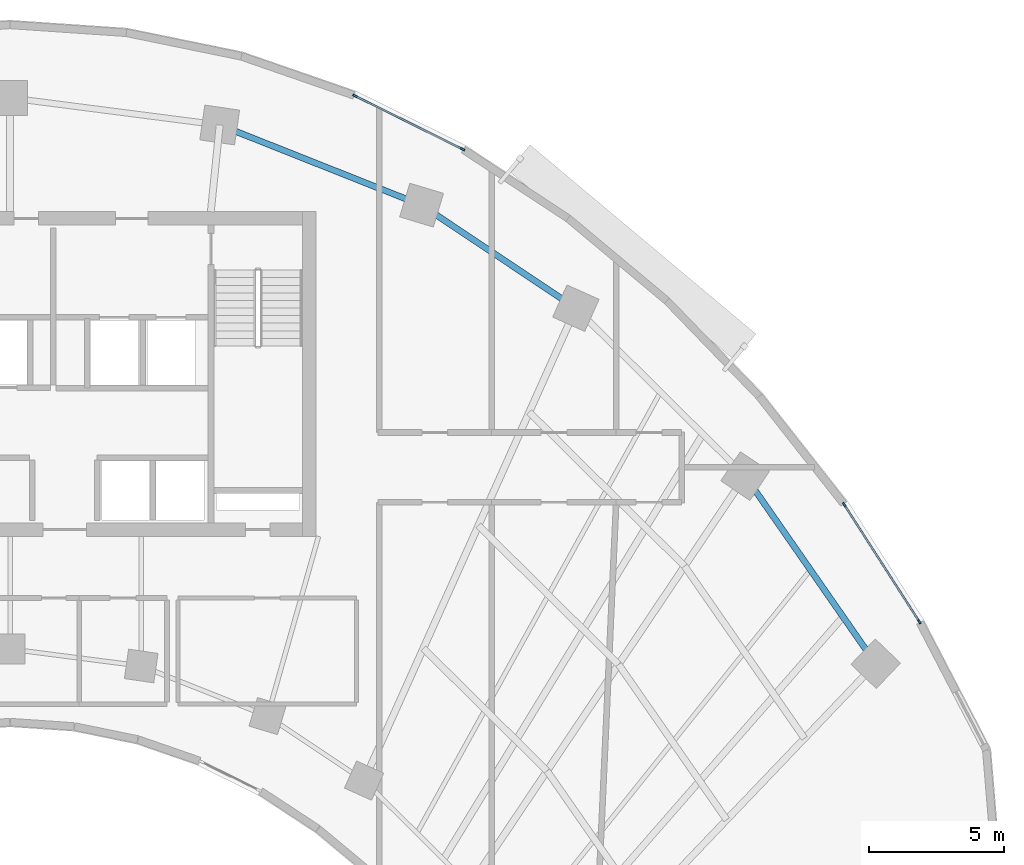
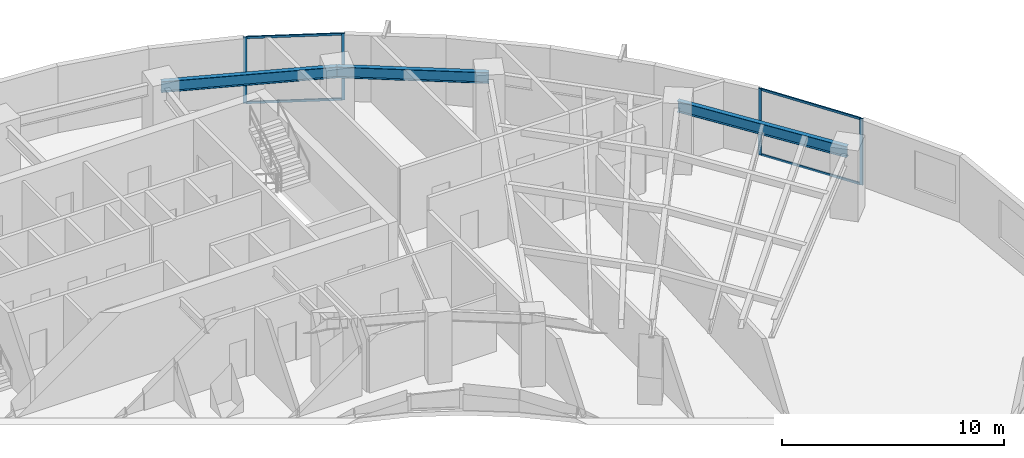
# One storey, part 6 of 14: 8 members, 3 beams, 2 elements without a shape of their own.
"""IFC4 building model written with IfcOpenShell, lengths in metres."""

from ifc_helpers import new_model, si_unit, direction, frame, origin, origin_2d, place, context, subcontext, project, spatial, rectangle, i_section, extrude, source, transform, mapped, material, layer, layer_set, material_profile, profile_set, type_object, element, aggregate, save


model = new_model("IFC4")

# Units and contexts
model_context = context("Model", 3, precision=1e-05, world=origin(), true_north=direction((0.0, 1.0)))
body_context = subcontext(model_context, "Body", "Model", "MODEL_VIEW")
ifc_project = project(units=[si_unit("LENGTHUNIT", "METRE"), si_unit("AREAUNIT", "SQUARE_METRE"), si_unit("VOLUMEUNIT", "CUBIC_METRE"), si_unit("PLANEANGLEUNIT", "RADIAN"), si_unit("MASSUNIT", "GRAM", prefix="KILO")], contexts=[model_context])

# Site, building, storey
site_placement = place(None, origin())
site = spatial("IfcSite", under=ifc_project, at=site_placement, CompositionType="ELEMENT")
building_placement = place(site_placement, origin())
building = spatial("IfcBuilding", under=site, at=building_placement, Name="Breltana Convention Tower", CompositionType="ELEMENT")
storey_placement = place(building_placement, frame((0.0, 0.0, 138.89990234375)))
storey = spatial("IfcBuildingStorey", under=building, at=storey_placement, Name="L33", CompositionType="ELEMENT", Elevation=138.89990234375)

# Beams
ifc_material_1 = material(Name="Steel ASTM A992 Grade 50", Category="steel")
ifc_material_profile_1 = material_profile(ifc_material_1, i_section(OverallWidth=0.22802734375, OverallDepth=0.60791015625, WebThickness=0.01123046875, FlangeThickness=0.017333984375, at=origin_2d()), Name="W24X76")
ifc_profile_set_1 = profile_set([ifc_material_profile_1], Name="Steel ASTM A992 Grade 50")
beam_type = type_object("IfcBeamType", Name="BM-SP-W24X76", PredefinedType="SPANDREL", material=ifc_profile_set_1)
shared_shape_1 = source(origin(), body_context, "Body", "SweptSolid", [
    extrude(i_section(OverallWidth=0.22802734375, OverallDepth=0.60791015625, WebThickness=0.01123046875, FlangeThickness=0.017333984375, at=origin_2d()), origin(), (0.0, 0.0, 1.0), 8.028564453125),
])
beam_1_placement = place(storey_placement, frame((55.746826171875, 75.404296875, 3.34619140625), z_axis=(0.929459100394, -0.368925169507, 0.0), x_axis=(0.368925169507, 0.929459100394, 0.0)))
element("IfcBeam", 1, at=beam_1_placement, inside=storey, type_object=beam_type, Name="L33 Outer Spandrel Beam 07", PredefinedType="SPANDREL", context=body_context, shape_type="MappedRepresentation", body=[
    mapped(shared_shape_1, transform((0.0, 0.0, 0.0), scale=1.0)),
])
shared_shape_2 = source(origin(), body_context, "Body", "SweptSolid", [
    extrude(i_section(OverallWidth=0.22802734375, OverallDepth=0.60791015625, WebThickness=0.01123046875, FlangeThickness=0.017333984375, at=origin_2d()), origin(), (0.0, 0.0, 1.0), 6.856689453125),
])
beam_2_placement = place(storey_placement, frame((63.208984375, 72.4423828125, 3.34619140625), z_axis=(0.83150210718, -0.55552159792, 0.0), x_axis=(0.55552159792, 0.83150210718, 0.0)))
element("IfcBeam", 2, at=beam_2_placement, inside=storey, type_object=beam_type, Name="L33 Outer Spandrel Beam 08", PredefinedType="SPANDREL", context=body_context, shape_type="MappedRepresentation", body=[
    mapped(shared_shape_2, transform((0.0, 0.0, 0.0), scale=1.0)),
])
shared_shape_3 = source(origin(), body_context, "Body", "SweptSolid", [
    extrude(i_section(OverallWidth=0.22802734375, OverallDepth=0.60791015625, WebThickness=0.01123046875, FlangeThickness=0.017333984375, at=origin_2d()), origin(), (0.0, 0.0, 1.0), 8.44970703125),
])
beam_3_placement = place(storey_placement, frame((75.166748046875, 62.43017578125, 3.34619140625), z_axis=(0.5711855381, -0.820820979913, 0.0), x_axis=(0.820820979913, 0.5711855381, 0.0)))
element("IfcBeam", 3, at=beam_3_placement, inside=storey, type_object=beam_type, Name="L33 Outer Spandrel Beam 10", PredefinedType="SPANDREL", context=body_context, shape_type="MappedRepresentation", body=[
    mapped(shared_shape_3, transform((0.0, 0.0, 0.0), scale=1.0)),
])

# Curtain wall, members
ifc_material_2 = material(Name="Aluminium Anodised Bronze Frame", Category="aluminium")
ifc_layer = layer(ifc_material_2, 0.22998046875, Name="Aluminium Anodised Bronze Frame")
ifc_layer_set = layer_set([ifc_layer], Name="Aluminium Anodised Bronze Frame")
curtain_wall_type = type_object("IfcCurtainWallType", Name="CW-SYS-5", PredefinedType="NOTDEFINED", material=ifc_layer_set)
curtain_wall_1_placement = place(storey_placement, origin())
curtain_wall_1 = element("IfcCurtainWall", 4, at=curtain_wall_1_placement, inside=storey, type_object=curtain_wall_type, Name="L33 outer double-skin inner glazing 4", PredefinedType="NOTDEFINED")
ifc_material_3 = material(Name="Aluminium Anodised Bronze", Category="aluminium")
ifc_material_profile_2 = material_profile(ifc_material_3, rectangle(XDim=0.070068359375, YDim=0.1201171875, at=origin_2d()), Name="CWT-70X120")
ifc_profile_set_2 = profile_set([ifc_material_profile_2], Name="Aluminium Anodised Bronze")
member_type_1 = type_object("IfcMemberType", Name="CWT-120", PredefinedType="USERDEFINED", material=ifc_profile_set_2)
shared_shape_4 = source(origin(), body_context, "Body", "SweptSolid", [
    extrude(rectangle(XDim=0.070068359375, YDim=0.1201171875, at=origin_2d()), origin(), (0.0, 0.0, 1.0), 4.365478515625),
])
member_1_placement = place(storey_placement, frame((60.777099609375, 76.46630859375, 0.03515625), z_axis=(0.89595425125, -0.44414634938, 0.0), x_axis=(0.44414634938, 0.89595425125, 0.0)))
member_1 = element("IfcMember", 5, at=member_1_placement, type_object=member_type_1, Name="CW-05 transom 1.1", ObjectType="TRANSOM", PredefinedType="USERDEFINED", context=body_context, shape_type="MappedRepresentation", body=[
    mapped(shared_shape_4, transform((0.0, 0.0, 0.0), scale=1.0)),
])
member_2_placement = place(storey_placement, frame((60.777099609375, 76.46630859375, 3.614990234375), z_axis=(0.89595425125, -0.44414634938, 0.0), x_axis=(0.44414634938, 0.89595425125, 0.0)))
member_2 = element("IfcMember", 6, at=member_2_placement, type_object=member_type_1, Name="CW-05 transom 1.2", ObjectType="TRANSOM", PredefinedType="USERDEFINED", context=body_context, shape_type="MappedRepresentation", body=[
    mapped(shared_shape_4, transform((0.0, 0.0, 0.0), scale=1.0)),
])
ifc_material_profile_3 = material_profile(ifc_material_3, rectangle(XDim=0.070068359375, YDim=0.175048828125, at=origin_2d()), Name="CWM-70X175")
ifc_profile_set_3 = profile_set([ifc_material_profile_3], Name="Aluminium Anodised Bronze")
member_type_2 = type_object("IfcMemberType", Name="CWM-175", PredefinedType="MULLION", material=ifc_profile_set_3)
shared_shape_5 = source(origin(), body_context, "Body", "SweptSolid", [
    extrude(rectangle(XDim=0.070068359375, YDim=0.175048828125, at=origin_2d()), origin(), (0.0, 0.0, 1.0), 3.650146484375),
])
member_3_placement = place(storey_placement, frame((60.74560546875, 76.48193359375, 0.0), z_axis=(0.0, 0.0, 1.0), x_axis=(0.444121541007, 0.895966548937, 0.0)))
member_3 = element("IfcMember", 7, at=member_3_placement, type_object=member_type_2, Name="CW-05 mullion 1", PredefinedType="MULLION", context=body_context, shape_type="MappedRepresentation", body=[
    mapped(shared_shape_5, transform((0.0, 0.0, 0.0), scale=1.0)),
])
member_4_placement = place(storey_placement, frame((64.719970703125, 74.511962890625, 0.0), z_axis=(0.0, 0.0, 1.0), x_axis=(0.444121541007, 0.895966548937, 0.0)))
member_4 = element("IfcMember", 8, at=member_4_placement, type_object=member_type_2, Name="CW-05 mullion 2", PredefinedType="MULLION", context=body_context, shape_type="MappedRepresentation", body=[
    mapped(shared_shape_5, transform((0.0, 0.0, 0.0), scale=1.0)),
])
aggregate(curtain_wall_1, [member_3, member_4, member_1, member_2])

curtain_wall_2_placement = place(storey_placement, origin())
curtain_wall_2 = element("IfcCurtainWall", 9, at=curtain_wall_2_placement, inside=storey, type_object=curtain_wall_type, Name="L33 outer double-skin inner glazing 5", PredefinedType="NOTDEFINED")
member_5_placement = place(storey_placement, frame((78.830322265625, 61.370849609375, 0.0), z_axis=(0.0, 0.0, 1.0), x_axis=(0.84155155167, 0.540176809834, 0.0)))
member_5 = element("IfcMember", 10, at=member_5_placement, type_object=member_type_2, Name="CW-05 mullion 1", PredefinedType="MULLION", context=body_context, shape_type="MappedRepresentation", body=[
    mapped(shared_shape_5, transform((0.0, 0.0, 0.0), scale=1.0)),
])
member_6_placement = place(storey_placement, frame((81.604248046875, 57.049560546875, 0.0), z_axis=(0.0, 0.0, 1.0), x_axis=(0.84155155167, 0.540176809834, 0.0)))
member_6 = element("IfcMember", 11, at=member_6_placement, type_object=member_type_2, Name="CW-05 mullion 2", PredefinedType="MULLION", context=body_context, shape_type="MappedRepresentation", body=[
    mapped(shared_shape_5, transform((0.0, 0.0, 0.0), scale=1.0)),
])
shared_shape_6 = source(origin(), body_context, "Body", "SweptSolid", [
    extrude(rectangle(XDim=0.070068359375, YDim=0.1201171875, at=origin_2d()), origin(), (0.0, 0.0, 1.0), 5.065185546875),
])
member_7_placement = place(storey_placement, frame((78.849365234375, 61.341552734375, 0.03515625), z_axis=(0.540167932383, -0.84155724988, 0.0), x_axis=(0.84155724988, 0.540167932383, 0.0)))
member_7 = element("IfcMember", 12, at=member_7_placement, type_object=member_type_1, Name="CW-05 transom 1.1", ObjectType="TRANSOM", PredefinedType="USERDEFINED", context=body_context, shape_type="MappedRepresentation", body=[
    mapped(shared_shape_6, transform((0.0, 0.0, 0.0), scale=1.0)),
])
member_8_placement = place(storey_placement, frame((78.849365234375, 61.341552734375, 3.614990234375), z_axis=(0.540167932383, -0.84155724988, 0.0), x_axis=(0.84155724988, 0.540167932383, 0.0)))
member_8 = element("IfcMember", 13, at=member_8_placement, type_object=member_type_1, Name="CW-05 transom 1.2", ObjectType="TRANSOM", PredefinedType="USERDEFINED", context=body_context, shape_type="MappedRepresentation", body=[
    mapped(shared_shape_6, transform((0.0, 0.0, 0.0), scale=1.0)),
])
aggregate(curtain_wall_2, [member_5, member_6, member_7, member_8])

save(model, "model.ifc")
